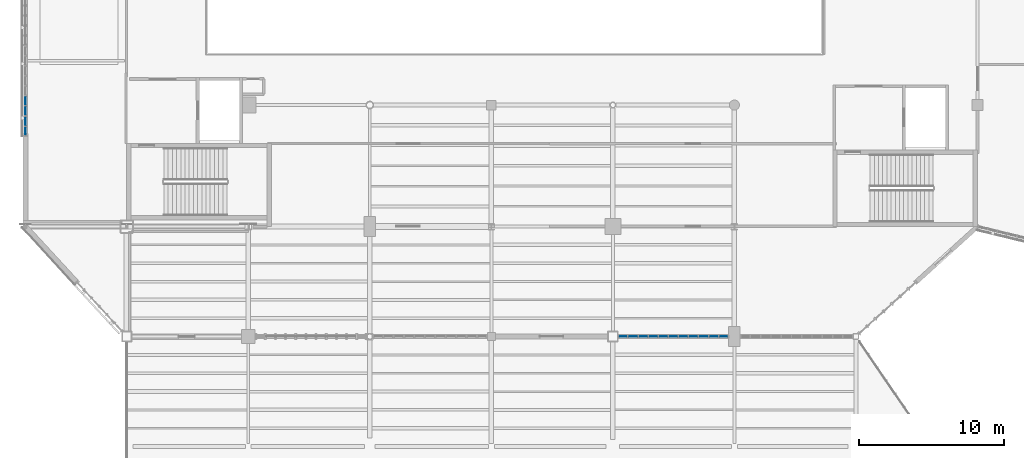
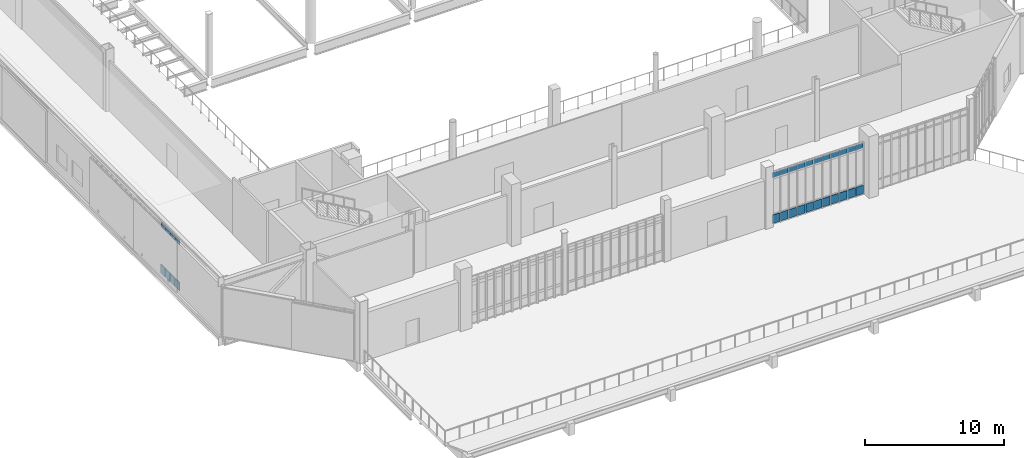
# One storey, part 85 of 127: 30 plates, 2 elements without a shape of their own.
"""IFC4 building model written with IfcOpenShell, lengths in metres."""

from ifc_helpers import new_model, si_unit, direction, frame, origin, origin_2d, place, context, subcontext, project, spatial, rectangle, extrude, material, layer, layer_set, type_object, element, aggregate, save


model = new_model("IFC4")

# Units and contexts
model_context = context("Model", 3, precision=1e-05, world=origin(), true_north=direction((0.0, 1.0)))
body_context = subcontext(model_context, "Body", "Model", "MODEL_VIEW")
ifc_project = project(units=[si_unit("LENGTHUNIT", "METRE"), si_unit("AREAUNIT", "SQUARE_METRE"), si_unit("VOLUMEUNIT", "CUBIC_METRE"), si_unit("PLANEANGLEUNIT", "RADIAN"), si_unit("MASSUNIT", "GRAM", prefix="KILO")], contexts=[model_context])

# Site, building, storey
site_placement = place(None, origin())
site = spatial("IfcSite", under=ifc_project, at=site_placement, CompositionType="ELEMENT")
building_placement = place(site_placement, origin())
building = spatial("IfcBuilding", under=site, at=building_placement, Name="Larkvane Passage Sports Hall", CompositionType="ELEMENT")
storey_placement = place(building_placement, frame((0.0, 0.0, 5.39990234375)))
storey = spatial("IfcBuildingStorey", under=building, at=storey_placement, Name="L01", CompositionType="ELEMENT", Elevation=5.39990234375)

# Curtain wall, plates
ifc_material_1 = material(Name="Thermally broken aluminium and low-E glazing", Category="aluminium")
curtain_wall_type = type_object("IfcCurtainWallType", Name="CW-UNIT-VEIL", PredefinedType="USERDEFINED", material=ifc_material_1)
curtain_wall_1_placement = place(storey_placement, origin())
curtain_wall_1 = element("IfcCurtainWall", 1, at=curtain_wall_1_placement, inside=storey, type_object=curtain_wall_type, Name="Curtain wall CW5-L01-029", ObjectType="UNITISED CURTAIN WALL", PredefinedType="USERDEFINED")
ifc_material_2 = material(Name="Mineral-wool insulated spandrel cassette")
ifc_layer_1 = layer(ifc_material_2, 0.0849609375)
ifc_layer_set_1 = layer_set([ifc_layer_1], Name="Mineral-wool insulated spandrel cassette")
plate_type_1 = type_object("IfcPlateType", Name="CWP-SPD-85", PredefinedType="CURTAIN_PANEL", material=ifc_layer_set_1)
plate_1_placement = place(storey_placement, frame((76.038330078125, 15.199951171875, 0.070068359375), z_axis=(0.0, 0.0, 1.0), x_axis=(-1.0, 0.0, 0.0)))
plate_1 = element("IfcPlate", 2, at=plate_1_placement, type_object=plate_type_1, Name="CW-02 panel 1.1", PredefinedType="CURTAIN_PANEL", context=body_context, shape_type="SweptSolid", body=[
    extrude(rectangle(XDim=0.591064453125, YDim=0.0849609375, at=origin_2d()), origin(), (0.0, 0.0, 1.0), 0.7451171875),
])
plate_2_placement = place(storey_placement, frame((75.359619140625, 15.199951171875, 0.070068359375), z_axis=(0.0, 0.0, 1.0), x_axis=(-1.0, 0.0, 0.0)))
plate_2 = element("IfcPlate", 3, at=plate_2_placement, type_object=plate_type_1, Name="CW-02 panel 2.1", PredefinedType="CURTAIN_PANEL", context=body_context, shape_type="SweptSolid", body=[
    extrude(rectangle(XDim=0.626220703125, YDim=0.0849609375, at=origin_2d()), origin(), (0.0, 0.0, 1.0), 0.7451171875),
])
plate_3_placement = place(storey_placement, frame((74.66357421875, 15.199951171875, 0.070068359375), z_axis=(0.0, 0.0, 1.0), x_axis=(-1.0, 0.0, 0.0)))
plate_3 = element("IfcPlate", 4, at=plate_3_placement, type_object=plate_type_1, Name="CW-02 panel 3.1", PredefinedType="CURTAIN_PANEL", context=body_context, shape_type="SweptSolid", body=[
    extrude(rectangle(XDim=0.626220703125, YDim=0.0849609375, at=origin_2d()), origin(), (0.0, 0.0, 1.0), 0.7451171875),
])
plate_4_placement = place(storey_placement, frame((73.96728515625, 15.199951171875, 0.070068359375), z_axis=(0.0, 0.0, 1.0), x_axis=(-1.0, 0.0, 0.0)))
plate_4 = element("IfcPlate", 5, at=plate_4_placement, type_object=plate_type_1, Name="CW-02 panel 4.1", PredefinedType="CURTAIN_PANEL", context=body_context, shape_type="SweptSolid", body=[
    extrude(rectangle(XDim=0.626220703125, YDim=0.0849609375, at=origin_2d()), origin(), (0.0, 0.0, 1.0), 0.7451171875),
])
plate_5_placement = place(storey_placement, frame((73.271240234375, 15.199951171875, 0.070068359375), z_axis=(0.0, 0.0, 1.0), x_axis=(-1.0, 0.0, 0.0)))
plate_5 = element("IfcPlate", 6, at=plate_5_placement, type_object=plate_type_1, Name="CW-02 panel 5.1", PredefinedType="CURTAIN_PANEL", context=body_context, shape_type="SweptSolid", body=[
    extrude(rectangle(XDim=0.626220703125, YDim=0.0849609375, at=origin_2d()), origin(), (0.0, 0.0, 1.0), 0.7451171875),
])
plate_6_placement = place(storey_placement, frame((72.574951171875, 15.199951171875, 0.070068359375), z_axis=(0.0, 0.0, 1.0), x_axis=(-1.0, 0.0, 0.0)))
plate_6 = element("IfcPlate", 7, at=plate_6_placement, type_object=plate_type_1, Name="CW-02 panel 6.1", PredefinedType="CURTAIN_PANEL", context=body_context, shape_type="SweptSolid", body=[
    extrude(rectangle(XDim=0.626220703125, YDim=0.0849609375, at=origin_2d()), origin(), (0.0, 0.0, 1.0), 0.7451171875),
])
plate_7_placement = place(storey_placement, frame((71.87890625, 15.199951171875, 0.070068359375), z_axis=(0.0, 0.0, 1.0), x_axis=(-1.0, 0.0, 0.0)))
plate_7 = element("IfcPlate", 8, at=plate_7_placement, type_object=plate_type_1, Name="CW-02 panel 7.1", PredefinedType="CURTAIN_PANEL", context=body_context, shape_type="SweptSolid", body=[
    extrude(rectangle(XDim=0.626220703125, YDim=0.0849609375, at=origin_2d()), origin(), (0.0, 0.0, 1.0), 0.7451171875),
])
plate_8_placement = place(storey_placement, frame((71.1826171875, 15.199951171875, 0.070068359375), z_axis=(0.0, 0.0, 1.0), x_axis=(-1.0, 0.0, 0.0)))
plate_8 = element("IfcPlate", 9, at=plate_8_placement, type_object=plate_type_1, Name="CW-02 panel 8.1", PredefinedType="CURTAIN_PANEL", context=body_context, shape_type="SweptSolid", body=[
    extrude(rectangle(XDim=0.626220703125, YDim=0.0849609375, at=origin_2d()), origin(), (0.0, 0.0, 1.0), 0.7451171875),
])
plate_9_placement = place(storey_placement, frame((70.486572265625, 15.199951171875, 0.070068359375), z_axis=(0.0, 0.0, 1.0), x_axis=(-1.0, 0.0, 0.0)))
plate_9 = element("IfcPlate", 10, at=plate_9_placement, type_object=plate_type_1, Name="CW-02 panel 9.1", PredefinedType="CURTAIN_PANEL", context=body_context, shape_type="SweptSolid", body=[
    extrude(rectangle(XDim=0.626220703125, YDim=0.0849609375, at=origin_2d()), origin(), (0.0, 0.0, 1.0), 0.7451171875),
])
plate_10_placement = place(storey_placement, frame((69.790283203125, 15.199951171875, 0.070068359375), z_axis=(0.0, 0.0, 1.0), x_axis=(-1.0, 0.0, 0.0)))
plate_10 = element("IfcPlate", 11, at=plate_10_placement, type_object=plate_type_1, Name="CW-02 panel 10.1", PredefinedType="CURTAIN_PANEL", context=body_context, shape_type="SweptSolid", body=[
    extrude(rectangle(XDim=0.626220703125, YDim=0.0849609375, at=origin_2d()), origin(), (0.0, 0.0, 1.0), 0.7451171875),
])
plate_11_placement = place(storey_placement, frame((69.111572265625, 15.199951171875, 0.070068359375), z_axis=(0.0, 0.0, 1.0), x_axis=(-1.0, 0.0, 0.0)))
plate_11 = element("IfcPlate", 12, at=plate_11_placement, type_object=plate_type_1, Name="CW-02 panel 11.1", PredefinedType="CURTAIN_PANEL", context=body_context, shape_type="SweptSolid", body=[
    extrude(rectangle(XDim=0.591064453125, YDim=0.0849609375, at=origin_2d()), origin(), (0.0, 0.0, 1.0), 0.7451171875),
])

curtain_wall_2_placement = place(storey_placement, origin())
curtain_wall_2 = element("IfcCurtainWall", 13, at=curtain_wall_2_placement, inside=storey, type_object=curtain_wall_type, Name="Curtain wall CW5-L01-033", ObjectType="UNITISED CURTAIN WALL", PredefinedType="USERDEFINED")
plate_12_placement = place(storey_placement, frame((27.800048828125, 29.420654296875, 0.0751953125), z_axis=(0.0, 0.0, 1.0), x_axis=(0.0, 1.0, 0.0)))
plate_12 = element("IfcPlate", 14, at=plate_12_placement, type_object=plate_type_1, Name="CW-02 panel 1.1", PredefinedType="CURTAIN_PANEL", context=body_context, shape_type="SweptSolid", body=[
    extrude(rectangle(XDim=0.58251953125, YDim=0.0849609375, at=origin_2d()), origin(), (0.0, 0.0, 1.0), 0.737548828125),
])
plate_13_placement = place(storey_placement, frame((27.800048828125, 30.096923828125, 0.0751953125), z_axis=(0.0, 0.0, 1.0), x_axis=(0.0, 1.0, 0.0)))
plate_13 = element("IfcPlate", 15, at=plate_13_placement, type_object=plate_type_1, Name="CW-02 panel 2.1", PredefinedType="CURTAIN_PANEL", context=body_context, shape_type="SweptSolid", body=[
    extrude(rectangle(XDim=0.619873046875, YDim=0.0849609375, at=origin_2d()), origin(), (0.0, 0.0, 1.0), 0.737548828125),
])
plate_14_placement = place(storey_placement, frame((27.800048828125, 30.7919921875, 0.0751953125), z_axis=(0.0, 0.0, 1.0), x_axis=(0.0, 1.0, 0.0)))
plate_14 = element("IfcPlate", 16, at=plate_14_placement, type_object=plate_type_1, Name="CW-02 panel 3.1", PredefinedType="CURTAIN_PANEL", context=body_context, shape_type="SweptSolid", body=[
    extrude(rectangle(XDim=0.619873046875, YDim=0.0849609375, at=origin_2d()), origin(), (0.0, 0.0, 1.0), 0.737548828125),
])
plate_15_placement = place(storey_placement, frame((27.800048828125, 31.48681640625, 0.0751953125), z_axis=(0.0, 0.0, 1.0), x_axis=(0.0, 1.0, 0.0)))
plate_15 = element("IfcPlate", 17, at=plate_15_placement, type_object=plate_type_1, Name="CW-02 panel 4.1", PredefinedType="CURTAIN_PANEL", context=body_context, shape_type="SweptSolid", body=[
    extrude(rectangle(XDim=0.619873046875, YDim=0.0849609375, at=origin_2d()), origin(), (0.0, 0.0, 1.0), 0.737548828125),
])

# Plate
ifc_material_3 = material(Name="Laminated acoustic low-E glazing", Category="glass")
ifc_layer_2 = layer(ifc_material_3, 0.031982421875)
ifc_layer_set_2 = layer_set([ifc_layer_2], Name="Laminated acoustic low-E glazing")
plate_type_2 = type_object("IfcPlateType", Name="CWP-VIS-32", PredefinedType="CURTAIN_PANEL", material=ifc_layer_set_2)
plate_16_placement = place(storey_placement, frame((76.038330078125, 15.199951171875, 4.06298828125), z_axis=(0.0, 0.0, 1.0), x_axis=(-1.0, 0.0, 0.0)))
plate_16 = element("IfcPlate", 18, at=plate_16_placement, type_object=plate_type_2, Name="CW-02 panel 1.3", PredefinedType="CURTAIN_PANEL", context=body_context, shape_type="SweptSolid", body=[
    extrude(rectangle(XDim=0.591064453125, YDim=0.031982421875, at=origin_2d()), origin(), (0.0, 0.0, 1.0), 0.445068359375),
])

plate_17_placement = place(storey_placement, frame((75.359619140625, 15.199951171875, 4.06298828125), z_axis=(0.0, 0.0, 1.0), x_axis=(-1.0, 0.0, 0.0)))
plate_17 = element("IfcPlate", 19, at=plate_17_placement, type_object=plate_type_2, Name="CW-02 panel 2.3", PredefinedType="CURTAIN_PANEL", context=body_context, shape_type="SweptSolid", body=[
    extrude(rectangle(XDim=0.626220703125, YDim=0.031982421875, at=origin_2d()), origin(), (0.0, 0.0, 1.0), 0.445068359375),
])

plate_18_placement = place(storey_placement, frame((74.66357421875, 15.199951171875, 4.06298828125), z_axis=(0.0, 0.0, 1.0), x_axis=(-1.0, 0.0, 0.0)))
plate_18 = element("IfcPlate", 20, at=plate_18_placement, type_object=plate_type_2, Name="CW-02 panel 3.3", PredefinedType="CURTAIN_PANEL", context=body_context, shape_type="SweptSolid", body=[
    extrude(rectangle(XDim=0.626220703125, YDim=0.031982421875, at=origin_2d()), origin(), (0.0, 0.0, 1.0), 0.445068359375),
])

plate_19_placement = place(storey_placement, frame((73.96728515625, 15.199951171875, 4.06298828125), z_axis=(0.0, 0.0, 1.0), x_axis=(-1.0, 0.0, 0.0)))
plate_19 = element("IfcPlate", 21, at=plate_19_placement, type_object=plate_type_2, Name="CW-02 panel 4.3", PredefinedType="CURTAIN_PANEL", context=body_context, shape_type="SweptSolid", body=[
    extrude(rectangle(XDim=0.626220703125, YDim=0.031982421875, at=origin_2d()), origin(), (0.0, 0.0, 1.0), 0.445068359375),
])

plate_20_placement = place(storey_placement, frame((73.271240234375, 15.199951171875, 4.06298828125), z_axis=(0.0, 0.0, 1.0), x_axis=(-1.0, 0.0, 0.0)))
plate_20 = element("IfcPlate", 22, at=plate_20_placement, type_object=plate_type_2, Name="CW-02 panel 5.3", PredefinedType="CURTAIN_PANEL", context=body_context, shape_type="SweptSolid", body=[
    extrude(rectangle(XDim=0.626220703125, YDim=0.031982421875, at=origin_2d()), origin(), (0.0, 0.0, 1.0), 0.445068359375),
])

plate_21_placement = place(storey_placement, frame((72.574951171875, 15.199951171875, 4.06298828125), z_axis=(0.0, 0.0, 1.0), x_axis=(-1.0, 0.0, 0.0)))
plate_21 = element("IfcPlate", 23, at=plate_21_placement, type_object=plate_type_2, Name="CW-02 panel 6.3", PredefinedType="CURTAIN_PANEL", context=body_context, shape_type="SweptSolid", body=[
    extrude(rectangle(XDim=0.626220703125, YDim=0.031982421875, at=origin_2d()), origin(), (0.0, 0.0, 1.0), 0.445068359375),
])

plate_22_placement = place(storey_placement, frame((71.87890625, 15.199951171875, 4.06298828125), z_axis=(0.0, 0.0, 1.0), x_axis=(-1.0, 0.0, 0.0)))
plate_22 = element("IfcPlate", 24, at=plate_22_placement, type_object=plate_type_2, Name="CW-02 panel 7.3", PredefinedType="CURTAIN_PANEL", context=body_context, shape_type="SweptSolid", body=[
    extrude(rectangle(XDim=0.626220703125, YDim=0.031982421875, at=origin_2d()), origin(), (0.0, 0.0, 1.0), 0.445068359375),
])

plate_23_placement = place(storey_placement, frame((71.1826171875, 15.199951171875, 4.06298828125), z_axis=(0.0, 0.0, 1.0), x_axis=(-1.0, 0.0, 0.0)))
plate_23 = element("IfcPlate", 25, at=plate_23_placement, type_object=plate_type_2, Name="CW-02 panel 8.3", PredefinedType="CURTAIN_PANEL", context=body_context, shape_type="SweptSolid", body=[
    extrude(rectangle(XDim=0.626220703125, YDim=0.031982421875, at=origin_2d()), origin(), (0.0, 0.0, 1.0), 0.445068359375),
])

plate_24_placement = place(storey_placement, frame((70.486572265625, 15.199951171875, 4.06298828125), z_axis=(0.0, 0.0, 1.0), x_axis=(-1.0, 0.0, 0.0)))
plate_24 = element("IfcPlate", 26, at=plate_24_placement, type_object=plate_type_2, Name="CW-02 panel 9.3", PredefinedType="CURTAIN_PANEL", context=body_context, shape_type="SweptSolid", body=[
    extrude(rectangle(XDim=0.626220703125, YDim=0.031982421875, at=origin_2d()), origin(), (0.0, 0.0, 1.0), 0.445068359375),
])

plate_25_placement = place(storey_placement, frame((69.790283203125, 15.199951171875, 4.06298828125), z_axis=(0.0, 0.0, 1.0), x_axis=(-1.0, 0.0, 0.0)))
plate_25 = element("IfcPlate", 27, at=plate_25_placement, type_object=plate_type_2, Name="CW-02 panel 10.3", PredefinedType="CURTAIN_PANEL", context=body_context, shape_type="SweptSolid", body=[
    extrude(rectangle(XDim=0.626220703125, YDim=0.031982421875, at=origin_2d()), origin(), (0.0, 0.0, 1.0), 0.445068359375),
])

plate_26_placement = place(storey_placement, frame((69.111572265625, 15.199951171875, 4.06298828125), z_axis=(0.0, 0.0, 1.0), x_axis=(-1.0, 0.0, 0.0)))
plate_26 = element("IfcPlate", 28, at=plate_26_placement, type_object=plate_type_2, Name="CW-02 panel 11.3", PredefinedType="CURTAIN_PANEL", context=body_context, shape_type="SweptSolid", body=[
    extrude(rectangle(XDim=0.591064453125, YDim=0.031982421875, at=origin_2d()), origin(), (0.0, 0.0, 1.0), 0.445068359375),
])

aggregate(curtain_wall_1, [plate_1, plate_16, plate_2, plate_17, plate_3, plate_18, plate_4, plate_19, plate_5, plate_20, plate_6, plate_21, plate_7, plate_22, plate_8, plate_23, plate_9, plate_24, plate_10, plate_25, plate_11, plate_26])

plate_27_placement = place(storey_placement, frame((27.800048828125, 29.420654296875, 4.065673828125), z_axis=(0.0, 0.0, 1.0), x_axis=(0.0, 1.0, 0.0)))
plate_27 = element("IfcPlate", 29, at=plate_27_placement, type_object=plate_type_2, Name="CW-02 panel 1.3", PredefinedType="CURTAIN_PANEL", context=body_context, shape_type="SweptSolid", body=[
    extrude(rectangle(XDim=0.58251953125, YDim=0.031982421875, at=origin_2d()), origin(), (0.0, 0.0, 1.0), 0.4375),
])

plate_28_placement = place(storey_placement, frame((27.800048828125, 30.096923828125, 4.065673828125), z_axis=(0.0, 0.0, 1.0), x_axis=(0.0, 1.0, 0.0)))
plate_28 = element("IfcPlate", 30, at=plate_28_placement, type_object=plate_type_2, Name="CW-02 panel 2.3", PredefinedType="CURTAIN_PANEL", context=body_context, shape_type="SweptSolid", body=[
    extrude(rectangle(XDim=0.619873046875, YDim=0.031982421875, at=origin_2d()), origin(), (0.0, 0.0, 1.0), 0.4375),
])

plate_29_placement = place(storey_placement, frame((27.800048828125, 30.7919921875, 4.065673828125), z_axis=(0.0, 0.0, 1.0), x_axis=(0.0, 1.0, 0.0)))
plate_29 = element("IfcPlate", 31, at=plate_29_placement, type_object=plate_type_2, Name="CW-02 panel 3.3", PredefinedType="CURTAIN_PANEL", context=body_context, shape_type="SweptSolid", body=[
    extrude(rectangle(XDim=0.619873046875, YDim=0.031982421875, at=origin_2d()), origin(), (0.0, 0.0, 1.0), 0.4375),
])

plate_30_placement = place(storey_placement, frame((27.800048828125, 31.48681640625, 4.065673828125), z_axis=(0.0, 0.0, 1.0), x_axis=(0.0, 1.0, 0.0)))
plate_30 = element("IfcPlate", 32, at=plate_30_placement, type_object=plate_type_2, Name="CW-02 panel 4.3", PredefinedType="CURTAIN_PANEL", context=body_context, shape_type="SweptSolid", body=[
    extrude(rectangle(XDim=0.619873046875, YDim=0.031982421875, at=origin_2d()), origin(), (0.0, 0.0, 1.0), 0.4375),
])

aggregate(curtain_wall_2, [plate_12, plate_27, plate_13, plate_28, plate_14, plate_29, plate_15, plate_30])

save(model, "model.ifc")
